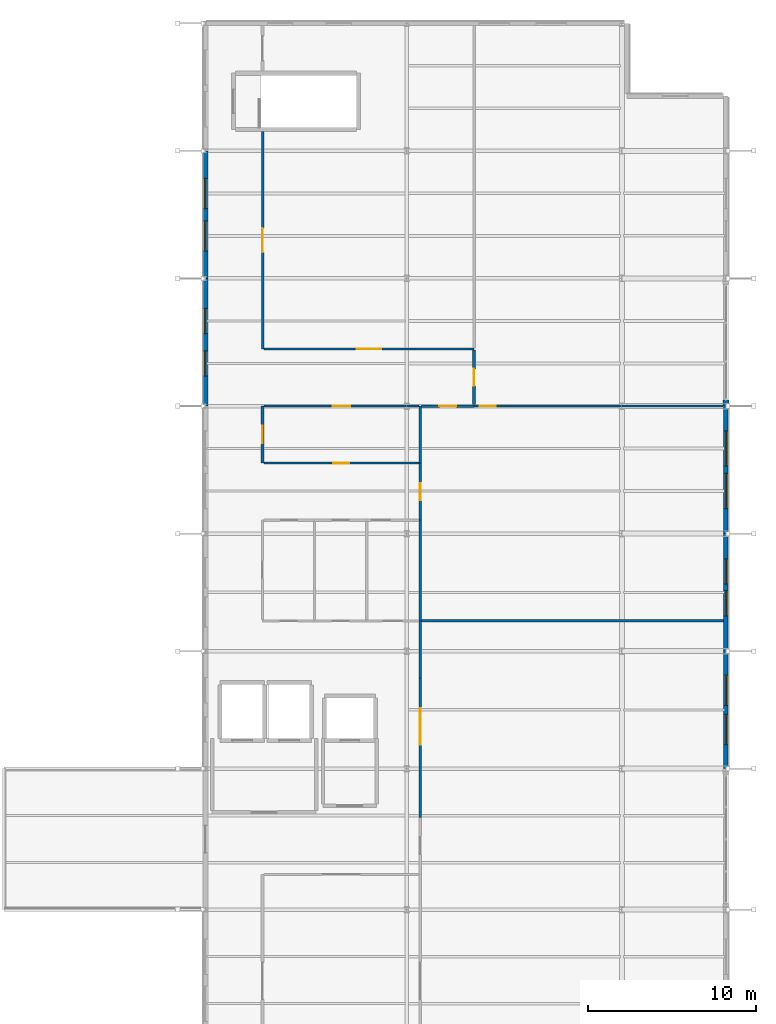
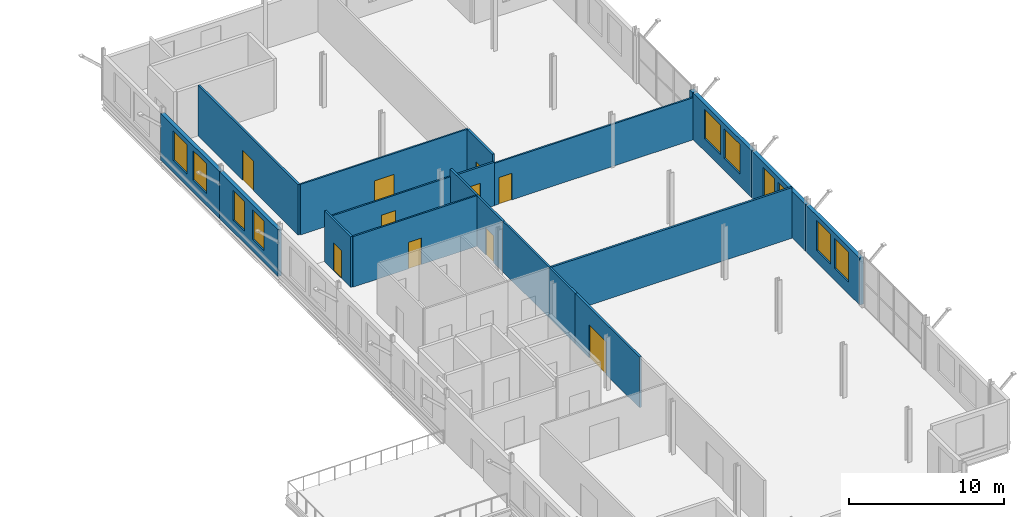
# One storey, part 22 of 25: 20 walls, 10 doors, 10 windows, 20 openings.
"""IFC4 building model written with IfcOpenShell, lengths in metres."""

from ifc_helpers import new_model, si_unit, direction, frame, frame_2d, origin, place, context, subcontext, project, spatial, rectangle, extrude, material, layer, layer_set, type_object, element, fill, save


model = new_model("IFC4")

# Units and contexts
model_context = context("Model", 3, precision=1e-05, world=origin(), true_north=direction((0.0, 1.0)))
body_context = subcontext(model_context, "Body", "Model", "MODEL_VIEW")
ifc_project = project(units=[si_unit("LENGTHUNIT", "METRE"), si_unit("AREAUNIT", "SQUARE_METRE"), si_unit("VOLUMEUNIT", "CUBIC_METRE"), si_unit("PLANEANGLEUNIT", "RADIAN"), si_unit("MASSUNIT", "GRAM", prefix="KILO")], contexts=[model_context])

# Site, building, storey
site_placement = place(None, origin())
site = spatial("IfcSite", under=ifc_project, at=site_placement, CompositionType="ELEMENT")
building_placement = place(site_placement, origin())
building = spatial("IfcBuilding", under=site, at=building_placement, Name="Vekula Escarpment Museum", CompositionType="ELEMENT")
storey_placement = place(building_placement, frame((0.0, 0.0, 26.39990234375)))
storey = spatial("IfcBuildingStorey", under=building, at=storey_placement, Name="L06", CompositionType="ELEMENT", Elevation=26.39990234375)

# Wall
ifc_material_1 = material(Name="Inkisi arkosic sandstone masonry", Category="masonry")
ifc_layer_1 = layer(ifc_material_1, 0.35009765625)
ifc_layer_set_1 = layer_set([ifc_layer_1], Name="Inkisi arkosic sandstone masonry")
wall_type_1 = type_object("IfcWallType", Name="WL-ALM-350", PredefinedType="SOLIDWALL", material=ifc_layer_set_1)
wall_1_placement = place(storey_placement, frame((198.0, 98.0, 0.0), z_axis=(0.0, 0.0, 1.0), x_axis=(0.0, 1.0, 0.0)))
element("IfcWall", 1, at=wall_1_placement, inside=storey, type_object=wall_type_1, Name="Facade Jamb Pier L06-0912A", PredefinedType="SOLIDWALL", context=body_context, shape_type="SweptSolid", body=[
    extrude(rectangle(XDim=0.360107421875, YDim=0.35009765625, at=frame_2d((0.18017578125, 0.0))), origin(), (0.0, 0.0, 1.0), 3.695068359375),
])

# Wall, openings, windows
ifc_material_2 = material(Name="Inkisi arkosic sandstone masonry", Category="masonry")
ifc_layer_2 = layer(ifc_material_2, 0.280029296875)
ifc_layer_set_2 = layer_set([ifc_layer_2], Name="Inkisi arkosic sandstone masonry")
wall_type_2 = type_object("IfcWallType", Name="WL-CUM-280", PredefinedType="SOLIDWALL", material=ifc_layer_set_2)
wall_2_placement = place(storey_placement, frame((198.0, 83.39990234375, 0.0), z_axis=(0.0, 0.0, 1.0), x_axis=(0.0, -1.0, 0.0)))
wall_2 = element("IfcWall", 2, at=wall_2_placement, inside=storey, type_object=wall_type_2, Name="Exterior Wall WL-EXT-L06-0909", PredefinedType="SOLIDWALL", context=body_context, shape_type="SweptSolid", body=[
    extrude(rectangle(XDim=7.0, YDim=0.280029296875, at=frame_2d((3.5, 0.0))), origin(), (0.0, 0.0, 1.0), 3.695068359375),
])
opening_1_placement = place(wall_2_placement, frame((1.433349609375, 0.0, 0.949951171875)))
opening_1 = element("IfcOpeningElement", 3, at=opening_1_placement, cuts=wall_2, Name="Opening WN-07", PredefinedType="OPENING", context=body_context, shape_type="SweptSolid", body=[
    extrude(rectangle(XDim=1.800048828125, YDim=2.35009765625, at=frame_2d((0.89990234375, 1.175048828125))), frame((0.0, 0.14990234375, 0.0), z_axis=(0.0, -1.0, 0.0), x_axis=(1.0, 0.0, 0.0)), (0.0, 0.0, 1.0), 0.300048828125),
])
opening_2_placement = place(wall_2_placement, frame((3.7666015625, 0.0, 0.949951171875)))
opening_2 = element("IfcOpeningElement", 4, at=opening_2_placement, cuts=wall_2, Name="Opening WN-07", PredefinedType="OPENING", context=body_context, shape_type="SweptSolid", body=[
    extrude(rectangle(XDim=1.800048828125, YDim=2.35009765625, at=frame_2d((0.89990234375, 1.175048828125))), frame((0.0, 0.14990234375, 0.0), z_axis=(0.0, -1.0, 0.0), x_axis=(1.0, 0.0, 0.0)), (0.0, 0.0, 1.0), 0.300048828125),
])
ifc_material_3 = material(Name="Double solar-control low-E glass", Category="glass")
window_type_1 = type_object("IfcWindowType", Name="WN-CUMBA-18x26", PartitioningType="DOUBLE_PANEL_VERTICAL", PredefinedType="WINDOW", material=ifc_material_3)
window_1_placement = place(opening_1_placement, origin())
window_1 = element("IfcWindow", 5, at=window_1_placement, inside=storey, type_object=window_type_1, Name="Window L06-0506", OverallHeight=2.35009765625, OverallWidth=1.800048828125, PartitioningType="SINGLE_PANEL", PredefinedType="WINDOW", context=body_context, shape_type="SweptSolid", body=[
    extrude(rectangle(XDim=1.800048828125, YDim=2.35009765625, at=frame_2d((0.89990234375, 1.175048828125))), frame((0.0, 0.030029296875, 0.0), z_axis=(0.0, -1.0, 0.0), x_axis=(1.0, 0.0, 0.0)), (0.0, 0.0, 1.0), 0.06005859375),
])
fill(opening_1, window_1)
window_2_placement = place(opening_2_placement, origin())
window_2 = element("IfcWindow", 6, at=window_2_placement, inside=storey, type_object=window_type_1, Name="Window L06-0507", OverallHeight=2.35009765625, OverallWidth=1.800048828125, PartitioningType="SINGLE_PANEL", PredefinedType="WINDOW", context=body_context, shape_type="SweptSolid", body=[
    extrude(rectangle(XDim=1.800048828125, YDim=2.35009765625, at=frame_2d((0.89990234375, 1.175048828125))), frame((0.0, 0.030029296875, 0.0), z_axis=(0.0, -1.0, 0.0), x_axis=(1.0, 0.0, 0.0)), (0.0, 0.0, 1.0), 0.06005859375),
])
fill(opening_2, window_2)

wall_3_placement = place(storey_placement, frame((198.0, 90.39990234375, 0.0), z_axis=(0.0, 0.0, 1.0), x_axis=(0.0, -1.0, 0.0)))
wall_3 = element("IfcWall", 7, at=wall_3_placement, inside=storey, type_object=wall_type_2, Name="Exterior Wall WL-EXT-L06-0910", PredefinedType="SOLIDWALL", context=body_context, shape_type="SweptSolid", body=[
    extrude(rectangle(XDim=7.0, YDim=0.280029296875, at=frame_2d((3.5, 0.0))), origin(), (0.0, 0.0, 1.0), 3.695068359375),
])
opening_3_placement = place(wall_3_placement, frame((1.5, 0.0, 0.949951171875)))
opening_3 = element("IfcOpeningElement", 8, at=opening_3_placement, cuts=wall_3, Name="Opening WN-06", PredefinedType="OPENING", context=body_context, shape_type="SweptSolid", body=[
    extrude(rectangle(XDim=1.5, YDim=2.35009765625, at=frame_2d((0.75, 1.175048828125))), frame((0.0, 0.14990234375, 0.0), z_axis=(0.0, -1.0, 0.0), x_axis=(1.0, 0.0, 0.0)), (0.0, 0.0, 1.0), 0.300048828125),
])
opening_4_placement = place(wall_3_placement, frame((3.39990234375, 0.0, 0.949951171875)))
opening_4 = element("IfcOpeningElement", 9, at=opening_4_placement, cuts=wall_3, Name="Opening WN-06", PredefinedType="OPENING", context=body_context, shape_type="SweptSolid", body=[
    extrude(rectangle(XDim=1.5, YDim=2.35009765625, at=frame_2d((0.75, 1.175048828125))), frame((0.0, 0.14990234375, 0.0), z_axis=(0.0, -1.0, 0.0), x_axis=(1.0, 0.0, 0.0)), (0.0, 0.0, 1.0), 0.300048828125),
])
ifc_material_4 = material(Name="Double solar-control low-E glass", Category="glass")
window_type_2 = type_object("IfcWindowType", Name="WN-CUMBA-15x24", PartitioningType="SINGLE_PANEL", PredefinedType="WINDOW", material=ifc_material_4)
window_3_placement = place(opening_3_placement, origin())
window_3 = element("IfcWindow", 10, at=window_3_placement, inside=storey, type_object=window_type_2, Name="Window L06-0508", OverallHeight=2.35009765625, OverallWidth=1.5, PartitioningType="SINGLE_PANEL", PredefinedType="WINDOW", context=body_context, shape_type="SweptSolid", body=[
    extrude(rectangle(XDim=1.5, YDim=2.35009765625, at=frame_2d((0.75, 1.175048828125))), frame((0.0, 0.030029296875, 0.0), z_axis=(0.0, -1.0, 0.0), x_axis=(1.0, 0.0, 0.0)), (0.0, 0.0, 1.0), 0.06005859375),
])
fill(opening_3, window_3)
window_4_placement = place(opening_4_placement, origin())
window_4 = element("IfcWindow", 11, at=window_4_placement, inside=storey, type_object=window_type_2, Name="Window L06-0509", OverallHeight=2.35009765625, OverallWidth=1.5, PartitioningType="SINGLE_PANEL", PredefinedType="WINDOW", context=body_context, shape_type="SweptSolid", body=[
    extrude(rectangle(XDim=1.5, YDim=2.35009765625, at=frame_2d((0.75, 1.175048828125))), frame((0.0, 0.030029296875, 0.0), z_axis=(0.0, -1.0, 0.0), x_axis=(1.0, 0.0, 0.0)), (0.0, 0.0, 1.0), 0.06005859375),
])
fill(opening_4, window_4)

wall_4_placement = place(storey_placement, frame((198.0, 98.0, 0.0), z_axis=(0.0, 0.0, 1.0), x_axis=(0.0, -1.0, 0.0)))
wall_4 = element("IfcWall", 12, at=wall_4_placement, inside=storey, type_object=wall_type_2, Name="Exterior Wall WL-EXT-L06-0911", PredefinedType="SOLIDWALL", context=body_context, shape_type="SweptSolid", body=[
    extrude(rectangle(XDim=7.60009765625, YDim=0.280029296875, at=frame_2d((3.800048828125, 0.0))), origin(), (0.0, 0.0, 1.0), 3.695068359375),
])
opening_5_placement = place(wall_4_placement, frame((1.4833984375, 0.0, 0.949951171875)))
opening_5 = element("IfcOpeningElement", 13, at=opening_5_placement, cuts=wall_4, Name="Opening WN-08", PredefinedType="OPENING", context=body_context, shape_type="SweptSolid", body=[
    extrude(rectangle(XDim=2.10009765625, YDim=2.35009765625, at=frame_2d((1.050048828125, 1.175048828125))), frame((0.0, 0.14990234375, 0.0), z_axis=(0.0, -1.0, 0.0), x_axis=(1.0, 0.0, 0.0)), (0.0, 0.0, 1.0), 0.300048828125),
])
opening_6_placement = place(wall_4_placement, frame((4.0166015625, 0.0, 0.949951171875)))
opening_6 = element("IfcOpeningElement", 14, at=opening_6_placement, cuts=wall_4, Name="Opening WN-08", PredefinedType="OPENING", context=body_context, shape_type="SweptSolid", body=[
    extrude(rectangle(XDim=2.10009765625, YDim=2.35009765625, at=frame_2d((1.050048828125, 1.175048828125))), frame((0.0, 0.14990234375, 0.0), z_axis=(0.0, -1.0, 0.0), x_axis=(1.0, 0.0, 0.0)), (0.0, 0.0, 1.0), 0.300048828125),
])
ifc_material_5 = material(Name="Double solar-control low-E glass", Category="glass")
window_type_3 = type_object("IfcWindowType", Name="WN-CUMBA-21x28", PartitioningType="DOUBLE_PANEL_VERTICAL", PredefinedType="WINDOW", material=ifc_material_5)
window_5_placement = place(opening_5_placement, origin())
window_5 = element("IfcWindow", 15, at=window_5_placement, inside=storey, type_object=window_type_3, Name="Window L06-0510", OverallHeight=2.35009765625, OverallWidth=2.10009765625, PartitioningType="SINGLE_PANEL", PredefinedType="WINDOW", context=body_context, shape_type="SweptSolid", body=[
    extrude(rectangle(XDim=2.10009765625, YDim=2.35009765625, at=frame_2d((1.050048828125, 1.175048828125))), frame((0.0, 0.030029296875, 0.0), z_axis=(0.0, -1.0, 0.0), x_axis=(1.0, 0.0, 0.0)), (0.0, 0.0, 1.0), 0.06005859375),
])
fill(opening_5, window_5)
window_6_placement = place(opening_6_placement, origin())
window_6 = element("IfcWindow", 16, at=window_6_placement, inside=storey, type_object=window_type_3, Name="Window L06-0511", OverallHeight=2.35009765625, OverallWidth=2.10009765625, PartitioningType="SINGLE_PANEL", PredefinedType="WINDOW", context=body_context, shape_type="SweptSolid", body=[
    extrude(rectangle(XDim=2.10009765625, YDim=2.35009765625, at=frame_2d((1.050048828125, 1.175048828125))), frame((0.0, 0.030029296875, 0.0), z_axis=(0.0, -1.0, 0.0), x_axis=(1.0, 0.0, 0.0)), (0.0, 0.0, 1.0), 0.06005859375),
])
fill(opening_6, window_6)

wall_5_placement = place(storey_placement, frame((167.0, 105.60009765625, 0.0), z_axis=(0.0, 0.0, 1.0), x_axis=(0.0, 1.0, 0.0)))
wall_5 = element("IfcWall", 17, at=wall_5_placement, inside=storey, type_object=wall_type_2, Name="Exterior Wall WL-EXT-L06-0921", PredefinedType="SOLIDWALL", context=body_context, shape_type="SweptSolid", body=[
    extrude(rectangle(XDim=7.599853515625, YDim=0.280029296875, at=frame_2d((3.7998046875, 0.0))), origin(), (0.0, 0.0, 1.0), 3.695068359375),
])
opening_7_placement = place(wall_5_placement, frame((1.63330078125, 0.0, 0.949951171875)))
opening_7 = element("IfcOpeningElement", 18, at=opening_7_placement, cuts=wall_5, Name="Opening WN-07", PredefinedType="OPENING", context=body_context, shape_type="SweptSolid", body=[
    extrude(rectangle(XDim=1.800048828125, YDim=2.35009765625, at=frame_2d((0.89990234375, 1.175048828125))), frame((0.0, 0.14990234375, 0.0), z_axis=(0.0, -1.0, 0.0), x_axis=(1.0, 0.0, 0.0)), (0.0, 0.0, 1.0), 0.300048828125),
])
opening_8_placement = place(wall_5_placement, frame((4.166748046875, 0.0, 0.949951171875)))
opening_8 = element("IfcOpeningElement", 19, at=opening_8_placement, cuts=wall_5, Name="Opening WN-07", PredefinedType="OPENING", context=body_context, shape_type="SweptSolid", body=[
    extrude(rectangle(XDim=1.800048828125, YDim=2.35009765625, at=frame_2d((0.89990234375, 1.175048828125))), frame((0.0, 0.14990234375, 0.0), z_axis=(0.0, -1.0, 0.0), x_axis=(1.0, 0.0, 0.0)), (0.0, 0.0, 1.0), 0.300048828125),
])
window_7_placement = place(opening_7_placement, origin())
window_7 = element("IfcWindow", 20, at=window_7_placement, inside=storey, type_object=window_type_1, Name="Window L06-0521", OverallHeight=2.35009765625, OverallWidth=1.800048828125, PartitioningType="SINGLE_PANEL", PredefinedType="WINDOW", context=body_context, shape_type="SweptSolid", body=[
    extrude(rectangle(XDim=1.800048828125, YDim=2.35009765625, at=frame_2d((0.89990234375, 1.175048828125))), frame((0.0, 0.030029296875, 0.0), z_axis=(0.0, -1.0, 0.0), x_axis=(1.0, 0.0, 0.0)), (0.0, 0.0, 1.0), 0.06005859375),
])
fill(opening_7, window_7)
window_8_placement = place(opening_8_placement, origin())
window_8 = element("IfcWindow", 21, at=window_8_placement, inside=storey, type_object=window_type_1, Name="Window L06-0522", OverallHeight=2.35009765625, OverallWidth=1.800048828125, PartitioningType="SINGLE_PANEL", PredefinedType="WINDOW", context=body_context, shape_type="SweptSolid", body=[
    extrude(rectangle(XDim=1.800048828125, YDim=2.35009765625, at=frame_2d((0.89990234375, 1.175048828125))), frame((0.0, 0.030029296875, 0.0), z_axis=(0.0, -1.0, 0.0), x_axis=(1.0, 0.0, 0.0)), (0.0, 0.0, 1.0), 0.06005859375),
])
fill(opening_8, window_8)

wall_6_placement = place(storey_placement, frame((167.0, 98.0, 0.0), z_axis=(0.0, 0.0, 1.0), x_axis=(0.0, 1.0, 0.0)))
wall_6 = element("IfcWall", 22, at=wall_6_placement, inside=storey, type_object=wall_type_2, Name="Exterior Wall WL-EXT-L06-0922", PredefinedType="SOLIDWALL", context=body_context, shape_type="SweptSolid", body=[
    extrude(rectangle(XDim=7.60009765625, YDim=0.280029296875, at=frame_2d((3.800048828125, 0.0))), origin(), (0.0, 0.0, 1.0), 3.695068359375),
])
opening_9_placement = place(wall_6_placement, frame((1.783203125, 0.0, 0.949951171875)))
opening_9 = element("IfcOpeningElement", 23, at=opening_9_placement, cuts=wall_6, Name="Opening WN-06", PredefinedType="OPENING", context=body_context, shape_type="SweptSolid", body=[
    extrude(rectangle(XDim=1.5, YDim=2.35009765625, at=frame_2d((0.75, 1.175048828125))), frame((0.0, 0.14990234375, 0.0), z_axis=(0.0, -1.0, 0.0), x_axis=(1.0, 0.0, 0.0)), (0.0, 0.0, 1.0), 0.300048828125),
])
opening_10_placement = place(wall_6_placement, frame((4.316650390625, 0.0, 0.949951171875)))
opening_10 = element("IfcOpeningElement", 24, at=opening_10_placement, cuts=wall_6, Name="Opening WN-06", PredefinedType="OPENING", context=body_context, shape_type="SweptSolid", body=[
    extrude(rectangle(XDim=1.5, YDim=2.35009765625, at=frame_2d((0.75, 1.175048828125))), frame((0.0, 0.14990234375, 0.0), z_axis=(0.0, -1.0, 0.0), x_axis=(1.0, 0.0, 0.0)), (0.0, 0.0, 1.0), 0.300048828125),
])
window_9_placement = place(opening_9_placement, origin())
window_9 = element("IfcWindow", 25, at=window_9_placement, inside=storey, type_object=window_type_2, Name="Window L06-0523", OverallHeight=2.35009765625, OverallWidth=1.5, PartitioningType="SINGLE_PANEL", PredefinedType="WINDOW", context=body_context, shape_type="SweptSolid", body=[
    extrude(rectangle(XDim=1.5, YDim=2.35009765625, at=frame_2d((0.75, 1.175048828125))), frame((0.0, 0.030029296875, 0.0), z_axis=(0.0, -1.0, 0.0), x_axis=(1.0, 0.0, 0.0)), (0.0, 0.0, 1.0), 0.06005859375),
])
fill(opening_9, window_9)
window_10_placement = place(opening_10_placement, origin())
window_10 = element("IfcWindow", 26, at=window_10_placement, inside=storey, type_object=window_type_2, Name="Window L06-0524", OverallHeight=2.35009765625, OverallWidth=1.5, PartitioningType="SINGLE_PANEL", PredefinedType="WINDOW", context=body_context, shape_type="SweptSolid", body=[
    extrude(rectangle(XDim=1.5, YDim=2.35009765625, at=frame_2d((0.75, 1.175048828125))), frame((0.0, 0.030029296875, 0.0), z_axis=(0.0, -1.0, 0.0), x_axis=(1.0, 0.0, 0.0)), (0.0, 0.0, 1.0), 0.06005859375),
])
fill(opening_10, window_10)

# Wall, opening, door
ifc_material_6 = material(Name="Lightweight studio partition", Category="gypsum")
ifc_layer_3 = layer(ifc_material_6, 0.1201171875)
ifc_layer_set_3 = layer_set([ifc_layer_3], Name="Lightweight studio partition")
wall_type_3 = type_object("IfcWallType", Name="WL-PART-120", PredefinedType="PARTITIONING", material=ifc_layer_set_3)
wall_7_placement = place(storey_placement, frame((170.48388671875, 94.60009765625, 0.0), z_axis=(0.0, 0.0, 1.0), x_axis=(1.0, 0.0, 0.0)))
wall_7 = element("IfcWall", 27, at=wall_7_placement, inside=storey, type_object=wall_type_3, Name="Interior Partition WL-INT-L06-0015", PredefinedType="PARTITIONING", context=body_context, shape_type="SweptSolid", body=[
    extrude(rectangle(XDim=9.237060546875, YDim=0.1201171875, at=frame_2d((4.61865234375, 0.0))), origin(), (0.0, 0.0, 1.0), 4.0),
])
opening_11_placement = place(wall_7_placement, frame((4.1435546875, 0.0, 0.0)))
opening_11 = element("IfcOpeningElement", 28, at=opening_11_placement, cuts=wall_7, Name="Opening DR-OF09", PredefinedType="OPENING", context=body_context, shape_type="SweptSolid", body=[
    extrude(rectangle(XDim=0.949951171875, YDim=2.10009765625, at=frame_2d((0.47509765625, 1.050048828125))), frame((0.0, 0.070068359375, 0.0), z_axis=(0.0, -1.0, 0.0), x_axis=(1.0, 0.0, 0.0)), (0.0, 0.0, 1.0), 0.14013671875),
])
ifc_material_7 = material(Name="Solid core timber office door", Category="wood")
door_type_1 = type_object("IfcDoorType", Name="DR-OFF-0950x2100", OperationType="NOTDEFINED", PredefinedType="DOOR", material=ifc_material_7)
door_1_placement = place(opening_11_placement, origin())
door_1 = element("IfcDoor", 29, at=door_1_placement, inside=storey, type_object=door_type_1, Name="Interior Door L06-014", OperationType="SINGLE_SWING_RIGHT", OverallHeight=2.10009765625, OverallWidth=0.949951171875, PredefinedType="DOOR", context=body_context, shape_type="SweptSolid", body=[
    extrude(rectangle(XDim=0.949951171875, YDim=2.10009765625, at=frame_2d((0.47509765625, 1.050048828125))), frame((0.0, 0.02490234375, 0.0), z_axis=(0.0, -1.0, 0.0), x_axis=(1.0, 0.0, 0.0)), (0.0, 0.0, 1.0), 0.050048828125),
])
fill(opening_11, door_1)

wall_8_placement = place(storey_placement, frame((183.0, 98.0, 0.0), z_axis=(0.0, 0.0, 1.0), x_axis=(1.0, 0.0, 0.0)))
wall_8 = element("IfcWall", 30, at=wall_8_placement, inside=storey, type_object=wall_type_3, Name="Interior Partition WL-INT-L06-0021", PredefinedType="PARTITIONING", context=body_context, shape_type="SweptSolid", body=[
    extrude(rectangle(XDim=14.821044921875, YDim=0.1201171875, at=frame_2d((7.41064453125, 0.0))), origin(), (0.0, 0.0, 1.0), 3.335205078125),
])
opening_12_placement = place(wall_8_placement, frame((0.35009765625, 0.0, 0.0)))
opening_12 = element("IfcOpeningElement", 31, at=opening_12_placement, cuts=wall_8, Name="Opening DR-OF09", PredefinedType="OPENING", context=body_context, shape_type="SweptSolid", body=[
    extrude(rectangle(XDim=0.949951171875, YDim=2.10009765625, at=frame_2d((0.47509765625, 1.050048828125))), frame((0.0, 0.070068359375, 0.0), z_axis=(0.0, -1.0, 0.0), x_axis=(1.0, 0.0, 0.0)), (0.0, 0.0, 1.0), 0.14013671875),
])
door_2_placement = place(opening_12_placement, origin())
door_2 = element("IfcDoor", 32, at=door_2_placement, inside=storey, type_object=door_type_1, Name="Interior Door L06-017", OperationType="SINGLE_SWING_LEFT", OverallHeight=2.10009765625, OverallWidth=0.949951171875, PredefinedType="DOOR", context=body_context, shape_type="SweptSolid", body=[
    extrude(rectangle(XDim=0.949951171875, YDim=2.10009765625, at=frame_2d((0.47509765625, 1.050048828125))), frame((0.0, 0.02490234375, 0.0), z_axis=(0.0, -1.0, 0.0), x_axis=(1.0, 0.0, 0.0)), (0.0, 0.0, 1.0), 0.050048828125),
])
fill(opening_12, door_2)

wall_9_placement = place(storey_placement, frame((170.48388671875, 98.0, 0.0), z_axis=(0.0, 0.0, 1.0), x_axis=(1.0, 0.0, 0.0)))
wall_9 = element("IfcWall", 33, at=wall_9_placement, inside=storey, type_object=wall_type_3, Name="Interior Partition WL-INT-L06-0024", PredefinedType="PARTITIONING", context=body_context, shape_type="SweptSolid", body=[
    extrude(rectangle(XDim=9.232177734375, YDim=0.1201171875, at=frame_2d((4.6162109375, 0.0))), origin(), (0.0, 0.0, 1.0), 3.43505859375),
])
opening_13_placement = place(wall_9_placement, frame((4.091064453125, 0.0, 0.0)))
opening_13 = element("IfcOpeningElement", 34, at=opening_13_placement, cuts=wall_9, Name="Opening DR-CR10", PredefinedType="OPENING", context=body_context, shape_type="SweptSolid", body=[
    extrude(rectangle(XDim=1.050048828125, YDim=2.199951171875, at=frame_2d((0.52490234375, 1.10009765625))), frame((0.0, 0.070068359375, 0.0), z_axis=(0.0, -1.0, 0.0), x_axis=(1.0, 0.0, 0.0)), (0.0, 0.0, 1.0), 0.14013671875),
])
ifc_material_8 = material(Name="Solid hardwood curatorial door", Category="wood")
door_type_2 = type_object("IfcDoorType", Name="DR-CUR-1050x2200", OperationType="NOTDEFINED", PredefinedType="DOOR", material=ifc_material_8)
door_3_placement = place(opening_13_placement, origin())
door_3 = element("IfcDoor", 35, at=door_3_placement, inside=storey, type_object=door_type_2, Name="Interior Door L06-018", OperationType="SINGLE_SWING_RIGHT", OverallHeight=2.199951171875, OverallWidth=1.050048828125, PredefinedType="DOOR", context=body_context, shape_type="SweptSolid", body=[
    extrude(rectangle(XDim=1.050048828125, YDim=2.199951171875, at=frame_2d((0.52490234375, 1.10009765625))), frame((0.0, 0.02490234375, 0.0), z_axis=(0.0, -1.0, 0.0), x_axis=(1.0, 0.0, 0.0)), (0.0, 0.0, 1.0), 0.050048828125),
])
fill(opening_13, door_3)

wall_10_placement = place(storey_placement, frame((170.47900390625, 101.39990234375, 0.0), z_axis=(0.0, 0.0, 1.0), x_axis=(1.0, 0.0, 0.0)))
wall_10 = element("IfcWall", 36, at=wall_10_placement, inside=storey, type_object=wall_type_3, Name="Interior Partition WL-INT-L06-0027", PredefinedType="PARTITIONING", context=body_context, shape_type="SweptSolid", body=[
    extrude(rectangle(XDim=12.52099609375, YDim=0.1201171875, at=frame_2d((6.260498046875, 0.0))), origin(), (0.0, 0.0, 1.0), 4.0),
])
opening_14_placement = place(wall_10_placement, frame((5.535400390625, 0.0, 0.0)))
opening_14 = element("IfcOpeningElement", 37, at=opening_14_placement, cuts=wall_10, Name="Opening DR-LB14", PredefinedType="OPENING", context=body_context, shape_type="SweptSolid", body=[
    extrude(rectangle(XDim=1.449951171875, YDim=2.35009765625, at=frame_2d((0.72509765625, 1.175048828125))), frame((0.0, 0.070068359375, 0.0), z_axis=(0.0, -1.0, 0.0), x_axis=(1.0, 0.0, 0.0)), (0.0, 0.0, 1.0), 0.14013671875),
])
ifc_material_9 = material(Name="Glazed timber library door", Category="wood")
door_type_3 = type_object("IfcDoorType", Name="DR-LIB-1450x2350", OperationType="NOTDEFINED", PredefinedType="DOOR", material=ifc_material_9)
door_4_placement = place(opening_14_placement, origin())
door_4 = element("IfcDoor", 38, at=door_4_placement, inside=storey, type_object=door_type_3, Name="Interior Door L06-021", OperationType="SINGLE_SWING_LEFT", OverallHeight=2.35009765625, OverallWidth=1.449951171875, PredefinedType="DOOR", context=body_context, shape_type="SweptSolid", body=[
    extrude(rectangle(XDim=1.449951171875, YDim=2.35009765625, at=frame_2d((0.72509765625, 1.175048828125))), frame((0.0, 0.02490234375, 0.0), z_axis=(0.0, -1.0, 0.0), x_axis=(1.0, 0.0, 0.0)), (0.0, 0.0, 1.0), 0.050048828125),
])
fill(opening_14, door_4)

# Walls
ifc_material_10 = material(Name="Moisture-resistant wet-room partition", Category="gypsum")
ifc_layer_4 = layer(ifc_material_10, 0.139892578125)
ifc_layer_set_4 = layer_set([ifc_layer_4], Name="Moisture-resistant wet-room partition")
wall_type_4 = type_object("IfcWallType", Name="WL-PART-140", PredefinedType="PARTITIONING", material=ifc_layer_set_4)
wall_11_placement = place(storey_placement, frame((179.800048828125, 85.199951171875, 0.0), z_axis=(0.0, 0.0, 1.0), x_axis=(0.0, 1.0, 0.0)))
element("IfcWall", 39, at=wall_11_placement, inside=storey, type_object=wall_type_4, Name="Interior Partition WL-INT-L06-0018", PredefinedType="PARTITIONING", context=body_context, shape_type="SweptSolid", body=[
    extrude(rectangle(XDim=6.0, YDim=0.139892578125, at=frame_2d((3.0, 0.0))), origin(), (0.0, 0.0, 1.0), 4.0),
])
ifc_material_11 = material(Name="Gypsum board dry-lined partition", Category="gypsum")
ifc_layer_5 = layer(ifc_material_11, 0.14990234375)
ifc_layer_set_5 = layer_set([ifc_layer_5], Name="Gypsum board dry-lined partition")
wall_type_5 = type_object("IfcWallType", Name="WL-PART-150", PredefinedType="PARTITIONING", material=ifc_layer_set_5)
wall_12_placement = place(storey_placement, frame((179.800048828125, 81.800048828125, 0.0), z_axis=(0.0, 0.0, 1.0), x_axis=(0.0, 1.0, 0.0)))
element("IfcWall", 40, at=wall_12_placement, inside=storey, type_object=wall_type_5, Name="Interior Partition WL-INT-L06-0005", PredefinedType="PARTITIONING", context=body_context, shape_type="SweptSolid", body=[
    extrude(rectangle(XDim=3.39990234375, YDim=0.14990234375, at=frame_2d((1.699951171875, 0.0))), origin(), (0.0, 0.0, 1.0), 4.0),
])

# Wall, opening, door
wall_13_placement = place(storey_placement, frame((179.800048828125, 91.199951171875, 0.0), z_axis=(0.0, 0.0, 1.0), x_axis=(0.0, 1.0, 0.0)))
wall_13 = element("IfcWall", 41, at=wall_13_placement, inside=storey, type_object=wall_type_5, Name="Interior Partition WL-INT-L06-0011", PredefinedType="PARTITIONING", context=body_context, shape_type="SweptSolid", body=[
    extrude(rectangle(XDim=3.400146484375, YDim=0.14990234375, at=frame_2d((1.7001953125, 0.0))), origin(), (0.0, 0.0, 1.0), 4.0),
])
opening_15_placement = place(wall_13_placement, frame((1.199951171875, 0.0, 0.0)))
opening_15 = element("IfcOpeningElement", 42, at=opening_15_placement, cuts=wall_13, Name="Opening DR-OF10", PredefinedType="OPENING", context=body_context, shape_type="SweptSolid", body=[
    extrude(rectangle(XDim=1.0, YDim=2.14990234375, at=frame_2d((0.5, 1.074951171875))), frame((0.0, 0.0849609375, 0.0), z_axis=(0.0, -1.0, 0.0), x_axis=(1.0, 0.0, 0.0)), (0.0, 0.0, 1.0), 0.169921875),
])
ifc_material_12 = material(Name="Solid core timber study door", Category="wood")
door_type_4 = type_object("IfcDoorType", Name="DR-OFF-1000x2150", OperationType="NOTDEFINED", PredefinedType="DOOR", material=ifc_material_12)
door_5_placement = place(opening_15_placement, origin())
door_5 = element("IfcDoor", 43, at=door_5_placement, inside=storey, type_object=door_type_4, Name="Interior Door L06-010", OperationType="SINGLE_SWING_RIGHT", OverallHeight=2.14990234375, OverallWidth=1.0, PredefinedType="DOOR", context=body_context, shape_type="SweptSolid", body=[
    extrude(rectangle(XDim=1.0, YDim=2.14990234375, at=frame_2d((0.5, 1.074951171875))), frame((0.0, 0.02490234375, 0.0), z_axis=(0.0, -1.0, 0.0), x_axis=(1.0, 0.0, 0.0)), (0.0, 0.0, 1.0), 0.050048828125),
])
fill(opening_15, door_5)

# Wall
wall_14_placement = place(storey_placement, frame((179.87890625, 85.199951171875, 0.0), z_axis=(0.0, 0.0, 1.0), x_axis=(1.0, 0.0, 0.0)))
element("IfcWall", 44, at=wall_14_placement, inside=storey, type_object=wall_type_5, Name="Interior Partition WL-INT-L06-0017", PredefinedType="PARTITIONING", context=body_context, shape_type="SweptSolid", body=[
    extrude(rectangle(XDim=17.97705078125, YDim=0.14990234375, at=frame_2d((8.988525390625, 0.0))), origin(), (0.0, 0.0, 1.0), 4.0),
])

# Wall, opening, door
wall_15_placement = place(storey_placement, frame((179.884033203125, 98.0, 0.0), z_axis=(0.0, 0.0, 1.0), x_axis=(1.0, 0.0, 0.0)))
wall_15 = element("IfcWall", 45, at=wall_15_placement, inside=storey, type_object=wall_type_5, Name="Interior Partition WL-INT-L06-0020", PredefinedType="PARTITIONING", context=body_context, shape_type="SweptSolid", body=[
    extrude(rectangle(XDim=3.115966796875, YDim=0.14990234375, at=frame_2d((1.55810546875, 0.0))), origin(), (0.0, 0.0, 1.0), 3.43505859375),
])
opening_16_placement = place(wall_15_placement, frame((1.05810546875, 0.0, 0.0)))
opening_16 = element("IfcOpeningElement", 46, at=opening_16_placement, cuts=wall_15, Name="Opening DR-OF10", PredefinedType="OPENING", context=body_context, shape_type="SweptSolid", body=[
    extrude(rectangle(XDim=1.0, YDim=2.14990234375, at=frame_2d((0.5, 1.074951171875))), frame((0.0, 0.0849609375, 0.0), z_axis=(0.0, -1.0, 0.0), x_axis=(1.0, 0.0, 0.0)), (0.0, 0.0, 1.0), 0.169921875),
])
door_6_placement = place(opening_16_placement, origin())
door_6 = element("IfcDoor", 47, at=door_6_placement, inside=storey, type_object=door_type_4, Name="Interior Door L06-016", OperationType="SINGLE_SWING_RIGHT", OverallHeight=2.14990234375, OverallWidth=1.0, PredefinedType="DOOR", context=body_context, shape_type="SweptSolid", body=[
    extrude(rectangle(XDim=1.0, YDim=2.14990234375, at=frame_2d((0.5, 1.074951171875))), frame((0.0, 0.02490234375, 0.0), z_axis=(0.0, -1.0, 0.0), x_axis=(1.0, 0.0, 0.0)), (0.0, 0.0, 1.0), 0.050048828125),
])
fill(opening_16, door_6)

wall_16_placement = place(storey_placement, frame((170.39990234375, 101.39990234375, 0.0), z_axis=(0.0, 0.0, 1.0), x_axis=(0.0, 1.0, 0.0)))
wall_16 = element("IfcWall", 48, at=wall_16_placement, inside=storey, type_object=wall_type_5, Name="Interior Partition WL-INT-L06-0026", PredefinedType="PARTITIONING", context=body_context, shape_type="SweptSolid", body=[
    extrude(rectangle(XDim=12.946044921875, YDim=0.14990234375, at=frame_2d((6.47314453125, 0.0))), origin(), (0.0, 0.0, 1.0), 4.0),
])
opening_17_placement = place(wall_16_placement, frame((5.748046875, 0.0, 0.0)))
opening_17 = element("IfcOpeningElement", 49, at=opening_17_placement, cuts=wall_16, Name="Opening DR-LB14", PredefinedType="OPENING", context=body_context, shape_type="SweptSolid", body=[
    extrude(rectangle(XDim=1.449951171875, YDim=2.35009765625, at=frame_2d((0.72509765625, 1.175048828125))), frame((0.0, 0.0849609375, 0.0), z_axis=(0.0, -1.0, 0.0), x_axis=(1.0, 0.0, 0.0)), (0.0, 0.0, 1.0), 0.169921875),
])
door_7_placement = place(opening_17_placement, origin())
door_7 = element("IfcDoor", 50, at=door_7_placement, inside=storey, type_object=door_type_3, Name="Interior Door L06-020", OperationType="SINGLE_SWING_RIGHT", OverallHeight=2.35009765625, OverallWidth=1.449951171875, PredefinedType="DOOR", context=body_context, shape_type="SweptSolid", body=[
    extrude(rectangle(XDim=1.449951171875, YDim=2.35009765625, at=frame_2d((0.72509765625, 1.175048828125))), frame((0.0, 0.02490234375, 0.0), z_axis=(0.0, -1.0, 0.0), x_axis=(1.0, 0.0, 0.0)), (0.0, 0.0, 1.0), 0.050048828125),
])
fill(opening_17, door_7)

ifc_material_13 = material(Name="Gypsum board gallery partition", Category="gypsum")
ifc_layer_6 = layer(ifc_material_13, 0.159912109375)
ifc_layer_set_6 = layer_set([ifc_layer_6], Name="Gypsum board gallery partition")
wall_type_6 = type_object("IfcWallType", Name="WL-PART-160", PredefinedType="PARTITIONING", material=ifc_layer_set_6)
wall_17_placement = place(storey_placement, frame((179.800048828125, 73.5, 0.0), z_axis=(0.0, 0.0, 1.0), x_axis=(0.0, 1.0, 0.0)))
wall_17 = element("IfcWall", 51, at=wall_17_placement, inside=storey, type_object=wall_type_6, Name="Interior Partition WL-INT-L06-0004", PredefinedType="PARTITIONING", context=body_context, shape_type="SweptSolid", body=[
    extrude(rectangle(XDim=8.300048828125, YDim=0.159912109375, at=frame_2d((4.14990234375, 0.0))), origin(), (0.0, 0.0, 1.0), 4.0),
])
opening_18_placement = place(wall_17_placement, frame((4.31005859375, 0.0, 0.0)))
opening_18 = element("IfcOpeningElement", 52, at=opening_18_placement, cuts=wall_17, Name="Opening DR-GL22", PredefinedType="OPENING", context=body_context, shape_type="SweptSolid", body=[
    extrude(rectangle(XDim=2.199951171875, YDim=2.60009765625, at=frame_2d((1.10009765625, 1.300048828125))), frame((0.0, 0.08984375, 0.0), z_axis=(0.0, -1.0, 0.0), x_axis=(1.0, 0.0, 0.0)), (0.0, 0.0, 1.0), 0.179931640625),
])
ifc_material_14 = material(Name="Double acoustic timber gallery door", Category="wood")
door_type_5 = type_object("IfcDoorType", Name="DR-GAL-2200x2600", OperationType="NOTDEFINED", PredefinedType="DOOR", material=ifc_material_14)
door_8_placement = place(opening_18_placement, origin())
door_8 = element("IfcDoor", 53, at=door_8_placement, inside=storey, type_object=door_type_5, Name="Interior Door L06-004", OperationType="SINGLE_SWING_RIGHT", OverallHeight=2.60009765625, OverallWidth=2.199951171875, PredefinedType="DOOR", context=body_context, shape_type="SweptSolid", body=[
    extrude(rectangle(XDim=2.199951171875, YDim=2.60009765625, at=frame_2d((1.10009765625, 1.300048828125))), frame((0.0, 0.02490234375, 0.0), z_axis=(0.0, -1.0, 0.0), x_axis=(1.0, 0.0, 0.0)), (0.0, 0.0, 1.0), 0.050048828125),
])
fill(opening_18, door_8)

wall_18_placement = place(storey_placement, frame((170.39990234375, 94.60009765625, 0.0), z_axis=(0.0, 0.0, 1.0), x_axis=(0.0, 1.0, 0.0)))
wall_18 = element("IfcWall", 54, at=wall_18_placement, inside=storey, type_object=wall_type_6, Name="Interior Partition WL-INT-L06-0010", PredefinedType="PARTITIONING", context=body_context, shape_type="SweptSolid", body=[
    extrude(rectangle(XDim=3.39990234375, YDim=0.159912109375, at=frame_2d((1.699951171875, 0.0))), origin(), (0.0, 0.0, 1.0), 4.0),
])
opening_19_placement = place(wall_18_placement, frame((1.175048828125, 0.0, 0.0)))
opening_19 = element("IfcOpeningElement", 55, at=opening_19_placement, cuts=wall_18, Name="Opening DR-CR10", PredefinedType="OPENING", context=body_context, shape_type="SweptSolid", body=[
    extrude(rectangle(XDim=1.050048828125, YDim=2.199951171875, at=frame_2d((0.52490234375, 1.10009765625))), frame((0.0, 0.08984375, 0.0), z_axis=(0.0, -1.0, 0.0), x_axis=(1.0, 0.0, 0.0)), (0.0, 0.0, 1.0), 0.179931640625),
])
door_9_placement = place(opening_19_placement, origin())
door_9 = element("IfcDoor", 56, at=door_9_placement, inside=storey, type_object=door_type_2, Name="Interior Door L06-009", OperationType="SINGLE_SWING_LEFT", OverallHeight=2.199951171875, OverallWidth=1.050048828125, PredefinedType="DOOR", context=body_context, shape_type="SweptSolid", body=[
    extrude(rectangle(XDim=1.050048828125, YDim=2.199951171875, at=frame_2d((0.52490234375, 1.10009765625))), frame((0.0, 0.02490234375, 0.0), z_axis=(0.0, -1.0, 0.0), x_axis=(1.0, 0.0, 0.0)), (0.0, 0.0, 1.0), 0.050048828125),
])
fill(opening_19, door_9)

# Wall
wall_19_placement = place(storey_placement, frame((179.800048828125, 94.60009765625, 0.0), z_axis=(0.0, 0.0, 1.0), x_axis=(0.0, 1.0, 0.0)))
element("IfcWall", 57, at=wall_19_placement, inside=storey, type_object=wall_type_6, Name="Interior Partition WL-INT-L06-0019", PredefinedType="PARTITIONING", context=body_context, shape_type="SweptSolid", body=[
    extrude(rectangle(XDim=3.39990234375, YDim=0.159912109375, at=frame_2d((1.699951171875, 0.0))), origin(), (0.0, 0.0, 1.0), 4.0),
])

# Wall, opening, door
wall_20_placement = place(storey_placement, frame((183.0, 98.0791015625, 0.0), z_axis=(0.0, 0.0, 1.0), x_axis=(0.0, 1.0, 0.0)))
wall_20 = element("IfcWall", 58, at=wall_20_placement, inside=storey, type_object=wall_type_6, Name="Interior Partition WL-INT-L06-0028", PredefinedType="PARTITIONING", context=body_context, shape_type="SweptSolid", body=[
    extrude(rectangle(XDim=3.2568359375, YDim=0.159912109375, at=frame_2d((1.62841796875, 0.0))), origin(), (0.0, 0.0, 1.0), 4.0),
])
opening_20_placement = place(wall_20_placement, frame((1.12841796875, 0.0, 0.0)))
opening_20 = element("IfcOpeningElement", 59, at=opening_20_placement, cuts=wall_20, Name="Opening DR-OF10", PredefinedType="OPENING", context=body_context, shape_type="SweptSolid", body=[
    extrude(rectangle(XDim=1.0, YDim=2.14990234375, at=frame_2d((0.5, 1.074951171875))), frame((0.0, 0.08984375, 0.0), z_axis=(0.0, -1.0, 0.0), x_axis=(1.0, 0.0, 0.0)), (0.0, 0.0, 1.0), 0.179931640625),
])
door_10_placement = place(opening_20_placement, origin())
door_10 = element("IfcDoor", 60, at=door_10_placement, inside=storey, type_object=door_type_4, Name="Interior Door L06-022", OperationType="SINGLE_SWING_RIGHT", OverallHeight=2.14990234375, OverallWidth=1.0, PredefinedType="DOOR", context=body_context, shape_type="SweptSolid", body=[
    extrude(rectangle(XDim=1.0, YDim=2.14990234375, at=frame_2d((0.5, 1.074951171875))), frame((0.0, 0.02490234375, 0.0), z_axis=(0.0, -1.0, 0.0), x_axis=(1.0, 0.0, 0.0)), (0.0, 0.0, 1.0), 0.050048828125),
])
fill(opening_20, door_10)

save(model, "model.ifc")
